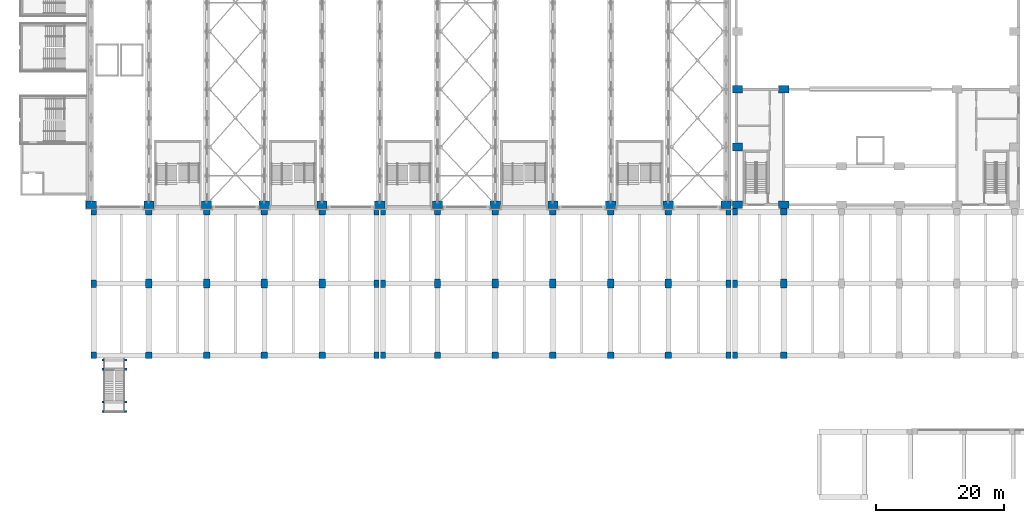
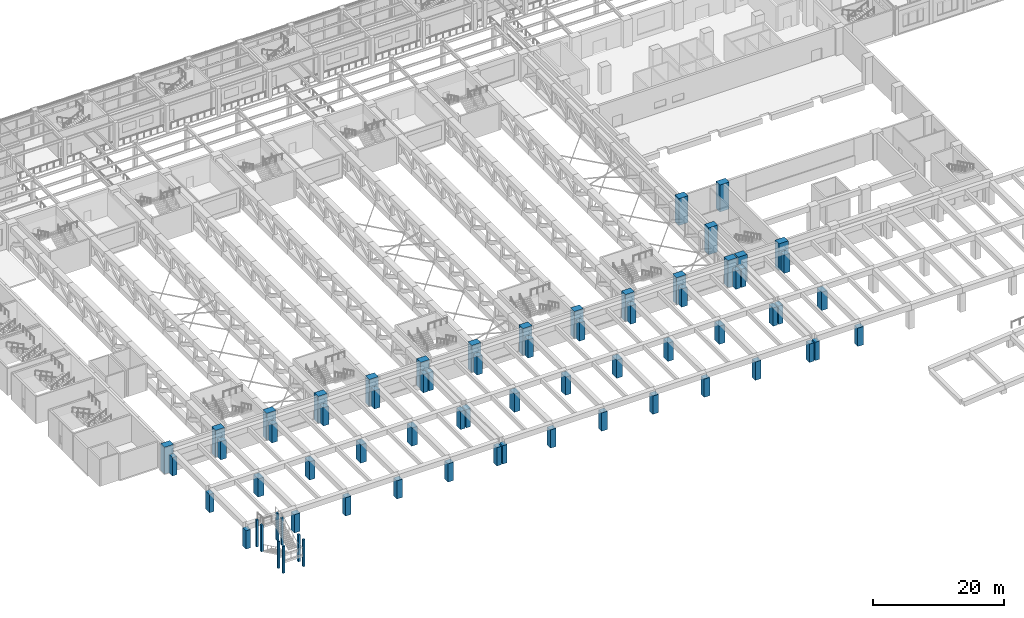
# One storey, part 1 of 76: 70 columns.
"""IFC4 building model written with IfcOpenShell, lengths in metres."""

from ifc_helpers import new_model, si_unit, direction, frame, origin, origin_2d, place, context, subcontext, project, spatial, rectangle, extrude, material, material_profile, profile_set, type_object, element, save


model = new_model("IFC4")

# Units and contexts
model_context = context("Model", 3, precision=1e-05, world=origin(), true_north=direction((0.0, 1.0)))
body_context = subcontext(model_context, "Body", "Model", "MODEL_VIEW")
ifc_project = project(units=[si_unit("LENGTHUNIT", "METRE"), si_unit("AREAUNIT", "SQUARE_METRE"), si_unit("VOLUMEUNIT", "CUBIC_METRE"), si_unit("PLANEANGLEUNIT", "RADIAN"), si_unit("MASSUNIT", "GRAM", prefix="KILO")], contexts=[model_context])

# Site, building, storey
site_placement = place(None, origin())
site = spatial("IfcSite", under=ifc_project, at=site_placement, CompositionType="ELEMENT")
building_placement = place(site_placement, origin())
building = spatial("IfcBuilding", under=site, at=building_placement, Name="Aravalli Gate Trade Fair Centre", CompositionType="ELEMENT")
storey_placement = place(building_placement, frame((0.0, 0.0, 10.0)))
storey = spatial("IfcBuildingStorey", under=building, at=storey_placement, Name="L02", CompositionType="ELEMENT", Elevation=10.0)

# Columns
ifc_material = material(Name="Concrete M45", Category="concrete")
ifc_material_profile_1 = material_profile(ifc_material, rectangle(XDim=1.60009765625, YDim=1.199951171875, at=origin_2d()), Name="RC 1600x1200")
ifc_profile_set_1 = profile_set([ifc_material_profile_1], Name="Concrete M45")
column_type_1 = type_object("IfcColumnType", Name="Congress RC column 1600 x 1200", PredefinedType="COLUMN", material=ifc_profile_set_1)
for number, where, z_axis, x_axis, name in (
    (1, (106.800048828125, 46.0, 0.0), (0.0, 0.0, 1.0), (1.0, 0.0, 0.0), "Congress column 106.8/46 L02"),
    (2, (114.0, 46.0, 0.0), (0.0, 0.0, 1.0), (1.0, 0.0, 0.0), "Congress column 114.0/46 L02"),
    (3, (106.800048828125, 55.0, 0.0), (0.0, 0.0, 1.0), (1.0, 0.0, 0.0), "Congress column 106.8/55 L02"),
    (4, (106.800048828125, 64.0, 0.0), (0.0, 0.0, 1.0), (1.0, 0.0, 0.0), "Congress column 106.8/64 L02"),
):
    element("IfcColumn", number, at=place(storey_placement, frame(where, z_axis=z_axis, x_axis=x_axis)), inside=storey, type_object=column_type_1, Name=name, PredefinedType="COLUMN", context=body_context, shape_type="SweptSolid", body=[
        extrude(rectangle(XDim=1.60009765625, YDim=1.199951171875, at=origin_2d()), origin(), (0.0, 0.0, 1.0), 5.0),
    ])
ifc_material_profile_2 = material_profile(ifc_material, rectangle(XDim=1.60009765625, YDim=1.199951171875, at=origin_2d()), Name="RC 1600x1200")
ifc_profile_set_2 = profile_set([ifc_material_profile_2], Name="Concrete M45")
column_type_2 = type_object("IfcColumnType", Name="Congress RC column 1600 x 1200, heavy stack", PredefinedType="COLUMN", material=ifc_profile_set_2)
column_placement = place(storey_placement, frame((114.0, 64.0, 0.0), z_axis=(0.0, 0.0, 1.0), x_axis=(1.0, 0.0, 0.0)))
element("IfcColumn", 5, at=column_placement, inside=storey, type_object=column_type_2, Name="Congress column 114.0/64 L02", PredefinedType="COLUMN", context=body_context, shape_type="SweptSolid", body=[
    extrude(rectangle(XDim=1.60009765625, YDim=1.199951171875, at=origin_2d()), origin(), (0.0, 0.0, 1.0), 5.0),
])
ifc_material_profile_3 = material_profile(ifc_material, rectangle(XDim=1.0, YDim=1.0, at=origin_2d()), Name="Deck column RC 1000 x 1000")
ifc_profile_set_3 = profile_set([ifc_material_profile_3], Name="Concrete M45")
column_type_3 = type_object("IfcColumnType", Name="Deck column RC 1000 x 1000", PredefinedType="COLUMN", material=ifc_profile_set_3)
for number, where, z_axis, x_axis, name in (
    (6, (15.0, 22.5, 0.0), (0.0, 0.0, 1.0), (1.0, 0.0, 0.0), "Deck column col.deck.1.2.S L02"),
    (7, (15.0, 44.89990234375, 0.0), (0.0, 0.0, 1.0), (1.0, 0.0, 0.0), "Deck column col.deck.1.2.N L02"),
    (8, (24.0, 22.5, 0.0), (0.0, 0.0, 1.0), (1.0, 0.0, 0.0), "Deck column col.deck.1.3.S L02"),
    (9, (24.0, 44.89990234375, 0.0), (0.0, 0.0, 1.0), (1.0, 0.0, 0.0), "Deck column col.deck.1.3.N L02"),
    (10, (33.0, 22.5, 0.0), (0.0, 0.0, 1.0), (1.0, 0.0, 0.0), "Deck column col.deck.1.4.S L02"),
    (11, (33.0, 44.89990234375, 0.0), (0.0, 0.0, 1.0), (1.0, 0.0, 0.0), "Deck column col.deck.1.4.N L02"),
    (12, (42.0, 22.5, 0.0), (0.0, 0.0, 1.0), (1.0, 0.0, 0.0), "Deck column col.deck.1.5.S L02"),
    (13, (42.0, 44.89990234375, 0.0), (0.0, 0.0, 1.0), (1.0, 0.0, 0.0), "Deck column col.deck.1.5.N L02"),
    (14, (60.0, 22.5, 0.0), (0.0, 0.0, 1.0), (1.0, 0.0, 0.0), "Deck column col.deck.2.2.S L02"),
    (15, (60.0, 44.89990234375, 0.0), (0.0, 0.0, 1.0), (1.0, 0.0, 0.0), "Deck column col.deck.2.2.N L02"),
    (16, (69.0, 22.5, 0.0), (0.0, 0.0, 1.0), (1.0, 0.0, 0.0), "Deck column col.deck.2.3.S L02"),
    (17, (69.0, 44.89990234375, 0.0), (0.0, 0.0, 1.0), (1.0, 0.0, 0.0), "Deck column col.deck.2.3.N L02"),
    (18, (78.0, 22.5, 0.0), (0.0, 0.0, 1.0), (1.0, 0.0, 0.0), "Deck column col.deck.2.4.S L02"),
    (19, (78.0, 44.89990234375, 0.0), (0.0, 0.0, 1.0), (1.0, 0.0, 0.0), "Deck column col.deck.2.4.N L02"),
    (20, (87.0, 22.5, 0.0), (0.0, 0.0, 1.0), (1.0, 0.0, 0.0), "Deck column col.deck.2.5.S L02"),
    (21, (87.0, 44.89990234375, 0.0), (0.0, 0.0, 1.0), (1.0, 0.0, 0.0), "Deck column col.deck.2.5.N L02"),
    (22, (96.0, 22.5, 0.0), (0.0, 0.0, 1.0), (1.0, 0.0, 0.0), "Deck column col.deck.2.6.S L02"),
    (23, (96.0, 44.89990234375, 0.0), (0.0, 0.0, 1.0), (1.0, 0.0, 0.0), "Deck column col.deck.2.6.N L02"),
    (24, (114.0, 22.5, 0.0), (0.0, 0.0, 1.0), (1.0, 0.0, 0.0), "Deck column col.deck.3.2.S L02"),
    (25, (114.0, 44.89990234375, 0.0), (0.0, 0.0, 1.0), (1.0, 0.0, 0.0), "Deck column col.deck.3.2.N L02"),
):
    element("IfcColumn", number, at=place(storey_placement, frame(where, z_axis=z_axis, x_axis=x_axis)), inside=storey, type_object=column_type_3, Name=name, PredefinedType="COLUMN", context=body_context, shape_type="SweptSolid", body=[
        extrude(rectangle(XDim=1.0, YDim=1.0, at=origin_2d()), origin(), (0.0, 0.0, 1.0), 3.39990234375),
    ])
ifc_material_profile_4 = material_profile(ifc_material, rectangle(XDim=1.0, YDim=1.39990234375, at=origin_2d()), Name="Deck column RC 1000 x 1400")
ifc_profile_set_4 = profile_set([ifc_material_profile_4], Name="Concrete M45")
column_type_4 = type_object("IfcColumnType", Name="Deck column RC 1000 x 1400", PredefinedType="COLUMN", material=ifc_profile_set_4)
for number, where, z_axis, x_axis, name in (
    (26, (15.0, 33.699951171875, 0.0), (0.0, 0.0, 1.0), (1.0, 0.0, 0.0), "Deck column col.deck.1.2.M L02"),
    (27, (24.0, 33.699951171875, 0.0), (0.0, 0.0, 1.0), (1.0, 0.0, 0.0), "Deck column col.deck.1.3.M L02"),
    (28, (33.0, 33.699951171875, 0.0), (0.0, 0.0, 1.0), (1.0, 0.0, 0.0), "Deck column col.deck.1.4.M L02"),
    (29, (42.0, 33.699951171875, 0.0), (0.0, 0.0, 1.0), (1.0, 0.0, 0.0), "Deck column col.deck.1.5.M L02"),
    (30, (60.0, 33.699951171875, 0.0), (0.0, 0.0, 1.0), (1.0, 0.0, 0.0), "Deck column col.deck.2.2.M L02"),
    (31, (69.0, 33.699951171875, 0.0), (0.0, 0.0, 1.0), (1.0, 0.0, 0.0), "Deck column col.deck.2.3.M L02"),
    (32, (78.0, 33.699951171875, 0.0), (0.0, 0.0, 1.0), (1.0, 0.0, 0.0), "Deck column col.deck.2.4.M L02"),
    (33, (87.0, 33.699951171875, 0.0), (0.0, 0.0, 1.0), (1.0, 0.0, 0.0), "Deck column col.deck.2.5.M L02"),
    (34, (96.0, 33.699951171875, 0.0), (0.0, 0.0, 1.0), (1.0, 0.0, 0.0), "Deck column col.deck.2.6.M L02"),
    (35, (114.0, 33.699951171875, 0.0), (0.0, 0.0, 1.0), (1.0, 0.0, 0.0), "Deck column col.deck.3.2.M L02"),
):
    element("IfcColumn", number, at=place(storey_placement, frame(where, z_axis=z_axis, x_axis=x_axis)), inside=storey, type_object=column_type_4, Name=name, PredefinedType="COLUMN", context=body_context, shape_type="SweptSolid", body=[
        extrude(rectangle(XDim=1.0, YDim=1.39990234375, at=origin_2d()), origin(), (0.0, 0.0, 1.0), 3.39990234375),
    ])
ifc_material_profile_5 = material_profile(ifc_material, rectangle(XDim=0.800048828125, YDim=1.0, at=origin_2d()), Name="Deck column RC 800 x 1000")
ifc_profile_set_5 = profile_set([ifc_material_profile_5], Name="Concrete M45")
column_type_5 = type_object("IfcColumnType", Name="Deck column RC 800 x 1000", PredefinedType="COLUMN", material=ifc_profile_set_5)
for number, where, z_axis, x_axis, name in (
    (36, (6.39990234375, 22.5, 0.0), (0.0, 0.0, 1.0), (1.0, 0.0, 0.0), "Deck column col.deck.1.1.S L02"),
    (37, (6.39990234375, 44.89990234375, 0.0), (0.0, 0.0, 1.0), (1.0, 0.0, 0.0), "Deck column col.deck.1.1.N L02"),
    (38, (50.5, 22.5, 0.0), (0.0, 0.0, 1.0), (1.0, 0.0, 0.0), "Deck column col.deck.1.6.S L02"),
    (39, (50.5, 44.89990234375, 0.0), (0.0, 0.0, 1.0), (1.0, 0.0, 0.0), "Deck column col.deck.1.6.N L02"),
    (40, (51.5, 22.5, 0.0), (0.0, 0.0, 1.0), (1.0, 0.0, 0.0), "Deck column col.deck.2.1.S L02"),
    (41, (51.5, 44.89990234375, 0.0), (0.0, 0.0, 1.0), (1.0, 0.0, 0.0), "Deck column col.deck.2.1.N L02"),
    (42, (105.39990234375, 22.5, 0.0), (0.0, 0.0, 1.0), (1.0, 0.0, 0.0), "Deck column col.deck.2.7.S L02"),
    (43, (105.39990234375, 44.89990234375, 0.0), (0.0, 0.0, 1.0), (1.0, 0.0, 0.0), "Deck column col.deck.2.7.N L02"),
    (44, (106.39990234375, 22.5, 0.0), (0.0, 0.0, 1.0), (1.0, 0.0, 0.0), "Deck column col.deck.3.1.S L02"),
    (45, (106.39990234375, 44.89990234375, 0.0), (0.0, 0.0, 1.0), (1.0, 0.0, 0.0), "Deck column col.deck.3.1.N L02"),
):
    element("IfcColumn", number, at=place(storey_placement, frame(where, z_axis=z_axis, x_axis=x_axis)), inside=storey, type_object=column_type_5, Name=name, PredefinedType="COLUMN", context=body_context, shape_type="SweptSolid", body=[
        extrude(rectangle(XDim=0.800048828125, YDim=1.0, at=origin_2d()), origin(), (0.0, 0.0, 1.0), 3.39990234375),
    ])
ifc_material_profile_6 = material_profile(ifc_material, rectangle(XDim=0.800048828125, YDim=1.199951171875, at=origin_2d()), Name="Deck column RC 800 x 1200")
ifc_profile_set_6 = profile_set([ifc_material_profile_6], Name="Concrete M45")
column_type_6 = type_object("IfcColumnType", Name="Deck column RC 800 x 1200", PredefinedType="COLUMN", material=ifc_profile_set_6)
for number, where, z_axis, x_axis, name in (
    (46, (6.39990234375, 33.699951171875, 0.0), (0.0, 0.0, 1.0), (1.0, 0.0, 0.0), "Deck column col.deck.1.1.M L02"),
    (47, (50.5, 33.699951171875, 0.0), (0.0, 0.0, 1.0), (1.0, 0.0, 0.0), "Deck column col.deck.1.6.M L02"),
    (48, (51.5, 33.699951171875, 0.0), (0.0, 0.0, 1.0), (1.0, 0.0, 0.0), "Deck column col.deck.2.1.M L02"),
    (49, (105.39990234375, 33.699951171875, 0.0), (0.0, 0.0, 1.0), (1.0, 0.0, 0.0), "Deck column col.deck.2.7.M L02"),
    (50, (106.39990234375, 33.699951171875, 0.0), (0.0, 0.0, 1.0), (1.0, 0.0, 0.0), "Deck column col.deck.3.1.M L02"),
):
    element("IfcColumn", number, at=place(storey_placement, frame(where, z_axis=z_axis, x_axis=x_axis)), inside=storey, type_object=column_type_6, Name=name, PredefinedType="COLUMN", context=body_context, shape_type="SweptSolid", body=[
        extrude(rectangle(XDim=0.800048828125, YDim=1.199951171875, at=origin_2d()), origin(), (0.0, 0.0, 1.0), 3.39990234375),
    ])
ifc_material_profile_7 = material_profile(ifc_material, rectangle(XDim=1.60009765625, YDim=1.199951171875, at=origin_2d()), Name="RC 1600x1200")
ifc_profile_set_7 = profile_set([ifc_material_profile_7], Name="Concrete M45")
column_type_7 = type_object("IfcColumnType", Name="Hall end-line spine column HC2", PredefinedType="COLUMN", material=ifc_profile_set_7)
for number, where, z_axis, x_axis, name in (
    (51, (6.0, 46.0, 0.0), (0.0, 0.0, 1.0), (1.0, 0.0, 0.0), "Spine column A1 L02"),
    (52, (105.0, 46.0, 0.0), (0.0, 0.0, 1.0), (1.0, 0.0, 0.0), "Spine column A12 L02"),
):
    element("IfcColumn", number, at=place(storey_placement, frame(where, z_axis=z_axis, x_axis=x_axis)), inside=storey, type_object=column_type_7, Name=name, PredefinedType="COLUMN", context=body_context, shape_type="SweptSolid", body=[
        extrude(rectangle(XDim=1.60009765625, YDim=1.199951171875, at=origin_2d()), origin(), (0.0, 0.0, 1.0), 5.0),
    ])
ifc_material_profile_8 = material_profile(ifc_material, rectangle(XDim=1.60009765625, YDim=1.199951171875, at=origin_2d()), Name="RC 1600x1200")
ifc_profile_set_8 = profile_set([ifc_material_profile_8], Name="Concrete M45")
column_type_8 = type_object("IfcColumnType", Name="Hall spine column HC1", PredefinedType="COLUMN", material=ifc_profile_set_8)
for number, where, z_axis, x_axis, name in (
    (53, (15.0, 46.0, 0.0), (0.0, 0.0, 1.0), (1.0, 0.0, 0.0), "Spine column A2 L02"),
    (54, (24.0, 46.0, 0.0), (0.0, 0.0, 1.0), (1.0, 0.0, 0.0), "Spine column A3 L02"),
    (55, (33.0, 46.0, 0.0), (0.0, 0.0, 1.0), (1.0, 0.0, 0.0), "Spine column A4 L02"),
    (56, (42.0, 46.0, 0.0), (0.0, 0.0, 1.0), (1.0, 0.0, 0.0), "Spine column A5 L02"),
    (57, (51.0, 46.0, 0.0), (0.0, 0.0, 1.0), (1.0, 0.0, 0.0), "Spine column A6 L02"),
    (58, (60.0, 46.0, 0.0), (0.0, 0.0, 1.0), (1.0, 0.0, 0.0), "Spine column A7 L02"),
    (59, (69.0, 46.0, 0.0), (0.0, 0.0, 1.0), (1.0, 0.0, 0.0), "Spine column A8 L02"),
    (60, (78.0, 46.0, 0.0), (0.0, 0.0, 1.0), (1.0, 0.0, 0.0), "Spine column A9 L02"),
    (61, (87.0, 46.0, 0.0), (0.0, 0.0, 1.0), (1.0, 0.0, 0.0), "Spine column A10 L02"),
    (62, (96.0, 46.0, 0.0), (0.0, 0.0, 1.0), (1.0, 0.0, 0.0), "Spine column A11 L02"),
):
    element("IfcColumn", number, at=place(storey_placement, frame(where, z_axis=z_axis, x_axis=x_axis)), inside=storey, type_object=column_type_8, Name=name, PredefinedType="COLUMN", context=body_context, shape_type="SweptSolid", body=[
        extrude(rectangle(XDim=1.60009765625, YDim=1.199951171875, at=origin_2d()), origin(), (0.0, 0.0, 1.0), 5.0),
    ])
ifc_material_profile_9 = material_profile(ifc_material, rectangle(XDim=0.35009765625, YDim=0.35009765625, at=origin_2d()), Name="Stair column RC 350 x 350")
ifc_profile_set_9 = profile_set([ifc_material_profile_9], Name="Concrete M45")
column_type_9 = type_object("IfcColumnType", Name="Stair column RC 350 x 350", PredefinedType="COLUMN", material=ifc_profile_set_9)
for number, where, z_axis, x_axis, name in (
    (63, (7.824951171875, 21.800048828125, 0.0), (0.0, 0.0, 1.0), (1.0, 0.0, 0.0), "Stair column col.stair.1.1.1 L02"),
    (64, (7.824951171875, 20.35009765625, 0.0), (0.0, 0.0, 1.0), (1.0, 0.0, 0.0), "Stair column col.stair.1.1.2 L02"),
    (65, (7.824951171875, 15.25, 0.0), (0.0, 0.0, 1.0), (1.0, 0.0, 0.0), "Stair column col.stair.1.1.3 L02"),
    (66, (7.824951171875, 13.75, 0.0), (0.0, 0.0, 1.0), (1.0, 0.0, 0.0), "Stair column col.stair.1.1.4 L02"),
    (67, (11.375, 21.800048828125, 0.0), (0.0, 0.0, 1.0), (1.0, 0.0, 0.0), "Stair column col.stair.1.2.1 L02"),
    (68, (11.375, 20.35009765625, 0.0), (0.0, 0.0, 1.0), (1.0, 0.0, 0.0), "Stair column col.stair.1.2.2 L02"),
    (69, (11.375, 15.25, 0.0), (0.0, 0.0, 1.0), (1.0, 0.0, 0.0), "Stair column col.stair.1.2.3 L02"),
    (70, (11.375, 13.75, 0.0), (0.0, 0.0, 1.0), (1.0, 0.0, 0.0), "Stair column col.stair.1.2.4 L02"),
):
    element("IfcColumn", number, at=place(storey_placement, frame(where, z_axis=z_axis, x_axis=x_axis)), inside=storey, type_object=column_type_9, Name=name, PredefinedType="COLUMN", context=body_context, shape_type="SweptSolid", body=[
        extrude(rectangle(XDim=0.35009765625, YDim=0.35009765625, at=origin_2d()), origin(), (0.0, 0.0, 1.0), 5.0),
    ])

save(model, "model.ifc")
